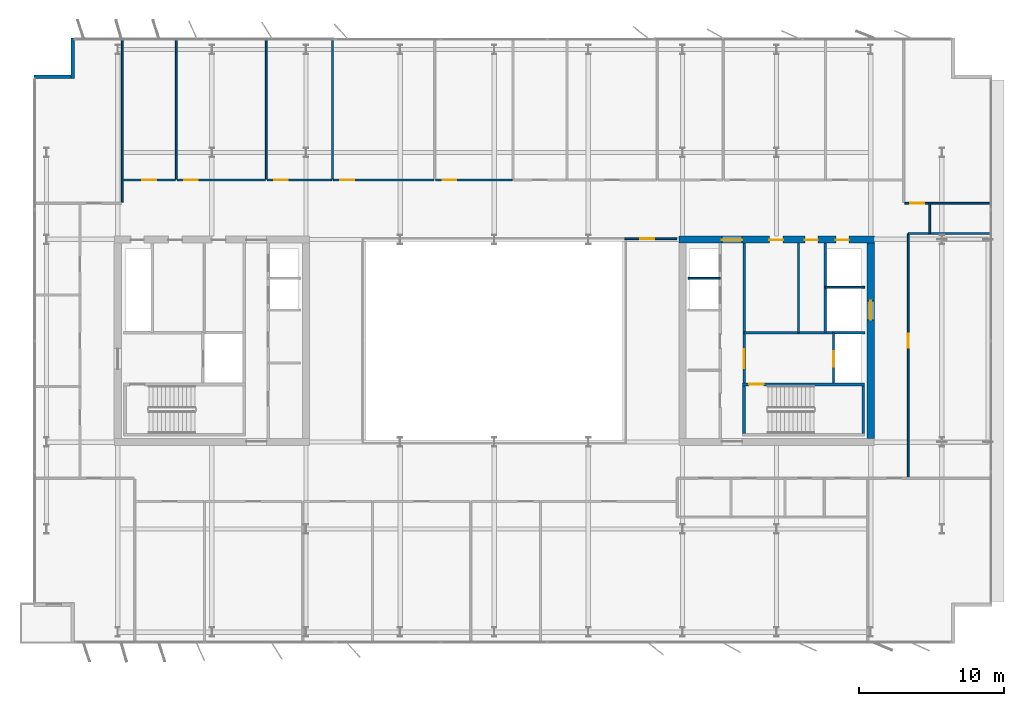
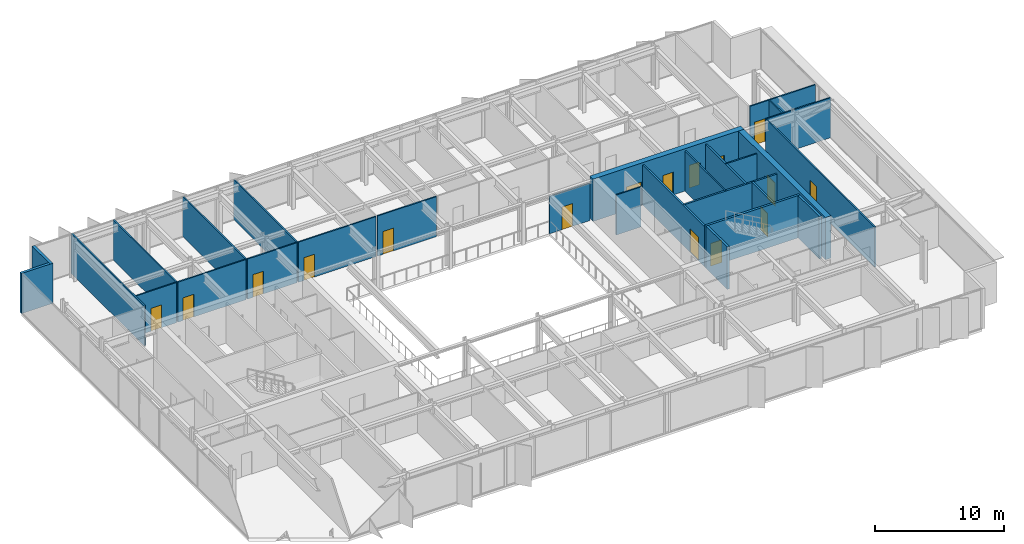
# One storey, part 15 of 20: 28 walls, 16 doors, 16 openings.
"""IFC4 building model written with IfcOpenShell, lengths in metres."""

from ifc_helpers import new_model, si_unit, direction, frame, frame_2d, origin, place, context, subcontext, project, spatial, rectangle, extrude, material, layer, layer_set, type_object, element, fill, save


model = new_model("IFC4")

# Units and contexts
model_context = context("Model", 3, precision=1e-05, world=origin(), true_north=direction((0.0, 1.0)))
body_context = subcontext(model_context, "Body", "Model", "MODEL_VIEW")
ifc_project = project(units=[si_unit("LENGTHUNIT", "METRE"), si_unit("AREAUNIT", "SQUARE_METRE"), si_unit("VOLUMEUNIT", "CUBIC_METRE"), si_unit("PLANEANGLEUNIT", "RADIAN"), si_unit("MASSUNIT", "GRAM", prefix="KILO")], contexts=[model_context])

# Site, building, storey
site_placement = place(None, origin())
site = spatial("IfcSite", under=ifc_project, at=site_placement, CompositionType="ELEMENT")
building_placement = place(site_placement, origin())
building = spatial("IfcBuilding", under=site, at=building_placement, Name="Putna Gate Headquarters", CompositionType="ELEMENT")
storey_placement = place(building_placement, frame((0.0, 0.0, 290.39990234375)))
storey = spatial("IfcBuildingStorey", under=building, at=storey_placement, Name="L73", CompositionType="ELEMENT", Elevation=290.39990234375)

# Wall, openings, doors
ifc_material_1 = material(Name="Concrete C50/60", Category="concrete")
ifc_layer_1 = layer(ifc_material_1, 0.5)
ifc_layer_set_1 = layer_set([ifc_layer_1], Name="Concrete C50/60")
wall_type_1 = type_object("IfcWallType", Name="WALL-CORE-500", PredefinedType="SHEAR", material=ifc_layer_set_1)
wall_1_placement = place(storey_placement, frame((51.75, 33.0, 0.0), z_axis=(0.0, 0.0, 1.0), x_axis=(1.0, 0.0, 0.0)))
wall_1 = element("IfcWall", 1, at=wall_1_placement, inside=storey, type_object=wall_type_1, Name="L73 EC Split Core Shear Wall N", PredefinedType="SHEAR", context=body_context, shape_type="SweptSolid", body=[
    extrude(rectangle(XDim=13.5, YDim=0.5, at=frame_2d((6.75, 0.0))), origin(), (0.0, 0.0, 1.0), 4.0),
])
opening_1_placement = place(wall_1_placement, frame((2.969970703125, 0.0, 0.0)))
opening_1 = element("IfcOpeningElement", 2, at=opening_1_placement, cuts=wall_1, Name="Opening FDD-140", PredefinedType="OPENING", context=body_context, shape_type="SweptSolid", body=[
    extrude(rectangle(XDim=1.39990234375, YDim=2.199951171875, at=frame_2d((0.699951171875, 1.10009765625))), frame((0.0, 0.260009765625, 0.0), z_axis=(0.0, -1.0, 0.0), x_axis=(1.0, 0.0, 0.0)), (0.0, 0.0, 1.0), 0.52001953125),
])
opening_2_placement = place(wall_1_placement, frame((10.85009765625, 0.0, 0.0)))
opening_2 = element("IfcOpeningElement", 3, at=opening_2_placement, cuts=wall_1, Name="Opening RD-90", PredefinedType="OPENING", context=body_context, shape_type="SweptSolid", body=[
    extrude(rectangle(XDim=0.89990234375, YDim=2.14990234375, at=frame_2d((0.449951171875, 1.074951171875))), frame((0.0, 0.260009765625, 0.0), z_axis=(0.0, -1.0, 0.0), x_axis=(1.0, 0.0, 0.0)), (0.0, 0.0, 1.0), 0.52001953125),
])
opening_3_placement = place(wall_1_placement, frame((6.25, 0.0, 0.0)))
opening_3 = element("IfcOpeningElement", 4, at=opening_3_placement, cuts=wall_1, Name="Opening IDS-95", PredefinedType="OPENING", context=body_context, shape_type="SweptSolid", body=[
    extrude(rectangle(XDim=0.949951171875, YDim=2.14990234375, at=frame_2d((0.47509765625, 1.074951171875))), frame((0.0, 0.260009765625, 0.0), z_axis=(0.0, -1.0, 0.0), x_axis=(1.0, 0.0, 0.0)), (0.0, 0.0, 1.0), 0.52001953125),
])
opening_4_placement = place(wall_1_placement, frame((8.699951171875, 0.0, 0.0)))
opening_4 = element("IfcOpeningElement", 5, at=opening_4_placement, cuts=wall_1, Name="Opening IDS-90", PredefinedType="OPENING", context=body_context, shape_type="SweptSolid", body=[
    extrude(rectangle(XDim=0.89990234375, YDim=2.14990234375, at=frame_2d((0.449951171875, 1.074951171875))), frame((0.0, 0.260009765625, 0.0), z_axis=(0.0, -1.0, 0.0), x_axis=(1.0, 0.0, 0.0)), (0.0, 0.0, 1.0), 0.52001953125),
])
ifc_material_2 = material(Name="Double steel fire door", Category="steel")
door_type_1 = type_object("IfcDoorType", Name="DOOR-FIRE-DBL-1400", OperationType="DOUBLE_DOOR_SINGLE_SWING", PredefinedType="DOOR", material=ifc_material_2)
door_1_placement = place(opening_1_placement, origin())
door_1 = element("IfcDoor", 6, at=door_1_placement, inside=storey, type_object=door_type_1, Name="L73 East Lift Lobby North Door", OperationType="DOUBLE_DOOR_SINGLE_SWING", OverallHeight=2.199951171875, OverallWidth=1.39990234375, PredefinedType="DOOR", context=body_context, shape_type="SweptSolid", body=[
    extrude(rectangle(XDim=1.39990234375, YDim=2.199951171875, at=frame_2d((0.699951171875, 1.10009765625))), frame((0.0, -0.02490234375, 0.0), z_axis=(0.0, -1.0, 0.0), x_axis=(1.0, 0.0, 0.0)), (0.0, 0.0, 1.0), 0.050048828125),
])
fill(opening_1, door_1)
ifc_material_3 = material(Name="Fire-rated utility door")
door_type_2 = type_object("IfcDoorType", Name="DOOR-INT-900", OperationType="NOTDEFINED", PredefinedType="DOOR", material=ifc_material_3)
door_2_placement = place(opening_4_placement, origin())
door_2 = element("IfcDoor", 7, at=door_2_placement, inside=storey, type_object=door_type_2, Name="L73 Electrical Plant Door", OperationType="SINGLE_SWING_LEFT", OverallHeight=2.14990234375, OverallWidth=0.89990234375, PredefinedType="DOOR", context=body_context, shape_type="SweptSolid", body=[
    extrude(rectangle(XDim=0.89990234375, YDim=2.14990234375, at=frame_2d((0.449951171875, 1.074951171875))), frame((0.0, -0.02490234375, 0.0), z_axis=(0.0, -1.0, 0.0), x_axis=(1.0, 0.0, 0.0)), (0.0, 0.0, 1.0), 0.050048828125),
])
fill(opening_4, door_2)
ifc_material_4 = material(Name="Fire-rated service timber door", Category="wood")
door_type_3 = type_object("IfcDoorType", Name="DOOR-INT-950", OperationType="NOTDEFINED", PredefinedType="DOOR", material=ifc_material_4)
door_3_placement = place(opening_3_placement, origin())
door_3 = element("IfcDoor", 8, at=door_3_placement, inside=storey, type_object=door_type_3, Name="L73 East Store Door", OperationType="SINGLE_SWING_RIGHT", OverallHeight=2.14990234375, OverallWidth=0.949951171875, PredefinedType="DOOR", context=body_context, shape_type="SweptSolid", body=[
    extrude(rectangle(XDim=0.949951171875, YDim=2.14990234375, at=frame_2d((0.47509765625, 1.074951171875))), frame((0.0, -0.02490234375, 0.0), z_axis=(0.0, -1.0, 0.0), x_axis=(1.0, 0.0, 0.0)), (0.0, 0.0, 1.0), 0.050048828125),
])
fill(opening_3, door_3)
ifc_material_5 = material(Name="Steel riser access fire door", Category="steel")
door_type_4 = type_object("IfcDoorType", Name="DOOR-RISER-900", OperationType="NOTDEFINED", PredefinedType="DOOR", material=ifc_material_5)
door_4_placement = place(opening_2_placement, origin())
door_4 = element("IfcDoor", 9, at=door_4_placement, inside=storey, type_object=door_type_4, Name="L73 East Riser Access Door", OperationType="SINGLE_SWING_LEFT", OverallHeight=2.14990234375, OverallWidth=0.89990234375, PredefinedType="DOOR", context=body_context, shape_type="SweptSolid", body=[
    extrude(rectangle(XDim=0.89990234375, YDim=2.14990234375, at=frame_2d((0.449951171875, 1.074951171875))), frame((0.0, -0.02490234375, 0.0), z_axis=(0.0, -1.0, 0.0), x_axis=(1.0, 0.0, 0.0)), (0.0, 0.0, 1.0), 0.050048828125),
])
fill(opening_2, door_4)

# Wall, opening, door
wall_2_placement = place(storey_placement, frame((65.0, 19.25, 0.0), z_axis=(0.0, 0.0, 1.0), x_axis=(0.0, 1.0, 0.0)))
wall_2 = element("IfcWall", 10, at=wall_2_placement, inside=storey, type_object=wall_type_1, Name="L73 EC Split Core Shear Wall E", PredefinedType="SHEAR", context=body_context, shape_type="SweptSolid", body=[
    extrude(rectangle(XDim=13.5, YDim=0.5, at=frame_2d((6.75, 0.0))), origin(), (0.0, 0.0, 1.0), 4.0),
])
opening_5_placement = place(wall_2_placement, frame((8.199951171875, 0.0, 0.0)))
opening_5 = element("IfcOpeningElement", 11, at=opening_5_placement, cuts=wall_2, Name="Opening LD-2", PredefinedType="OPENING", context=body_context, shape_type="SweptSolid", body=[
    extrude(rectangle(XDim=1.300048828125, YDim=2.199951171875, at=frame_2d((0.64990234375, 1.10009765625))), frame((0.0, 0.260009765625, 0.0), z_axis=(0.0, -1.0, 0.0), x_axis=(1.0, 0.0, 0.0)), (0.0, 0.0, 1.0), 0.52001953125),
])
ifc_material_6 = material(Name="Heavy-duty goods lift sliding landing door")
door_type_5 = type_object("IfcDoorType", Name="DOOR-LIFT-1300", OperationType="DOUBLE_DOOR_SLIDING", PredefinedType="DOOR", material=ifc_material_6)
door_5_placement = place(opening_5_placement, origin())
door_5 = element("IfcDoor", 12, at=door_5_placement, inside=storey, type_object=door_type_5, Name="L73 Goods Lift Landing Door LD-15", OperationType="DOUBLE_DOOR_SLIDING", OverallHeight=2.199951171875, OverallWidth=1.300048828125, PredefinedType="DOOR", context=body_context, shape_type="SweptSolid", body=[
    extrude(rectangle(XDim=1.300048828125, YDim=2.199951171875, at=frame_2d((0.64990234375, 1.10009765625))), frame((0.0, 0.02490234375, 0.0), z_axis=(0.0, -1.0, 0.0), x_axis=(1.0, 0.0, 0.0)), (0.0, 0.0, 1.0), 0.050048828125),
])
fill(opening_5, door_5)

# Walls
ifc_material_7 = material(Name="Precast concrete C40/50", Category="concrete")
ifc_layer_2 = layer(ifc_material_7, 0.239990234375)
ifc_layer_set_2 = layer_set([ifc_layer_2], Name="Precast concrete C40/50")
wall_type_2 = type_object("IfcWallType", Name="WALL-EXT-TERR-240", PredefinedType="STANDARD", material=ifc_layer_set_2)
wall_3_placement = place(storey_placement, frame((9.8798828125, 44.10009765625, 0.0), z_axis=(0.0, 0.0, 1.0), x_axis=(0.0, 1.0, 0.0)))
element("IfcWall", 13, at=wall_3_placement, inside=storey, type_object=wall_type_2, Name="L73 Corner Notch Return Wall NW-V", PredefinedType="STANDARD", context=body_context, shape_type="SweptSolid", body=[
    extrude(rectangle(XDim=2.7998046875, YDim=0.239990234375, at=frame_2d((1.39990234375, 0.0))), origin(), (0.0, 0.0, 1.0), 3.7880859375),
])
wall_4_placement = place(storey_placement, frame((7.199951171875, 44.219970703125, 0.0), z_axis=(0.0, 0.0, 1.0), x_axis=(1.0, 0.0, 0.0)))
element("IfcWall", 14, at=wall_4_placement, inside=storey, type_object=wall_type_2, Name="L73 Corner Notch Return Wall NW-H", PredefinedType="STANDARD", context=body_context, shape_type="SweptSolid", body=[
    extrude(rectangle(XDim=2.800048828125, YDim=0.239990234375, at=frame_2d((1.39990234375, 0.0))), origin(), (0.0, 0.0, 1.0), 3.7880859375),
])

# Wall, opening, door
ifc_material_8 = material(Name="Acoustic gypsum board on metal stud")
ifc_layer_3 = layer(ifc_material_8, 0.1201171875)
ifc_layer_set_3 = layer_set([ifc_layer_3], Name="Acoustic gypsum board on metal stud")
wall_type_3 = type_object("IfcWallType", Name="WALL-PART-120", PredefinedType="PARTITIONING", material=ifc_layer_set_3)
wall_5_placement = place(storey_placement, frame((48.0, 33.0400390625, 0.0), z_axis=(0.0, 0.0, 1.0), x_axis=(1.0, 0.0, 0.0)))
wall_5 = element("IfcWall", 15, at=wall_5_placement, inside=storey, type_object=wall_type_3, Name="L73 Interior Wall PART-L73-ATR-E-N", PredefinedType="PARTITIONING", context=body_context, shape_type="SweptSolid", body=[
    extrude(rectangle(XDim=3.60009765625, YDim=0.1201171875, at=frame_2d((1.800048828125, 0.0))), origin(), (0.0, 0.0, 1.0), 3.528076171875),
])
opening_6_placement = place(wall_5_placement, frame((1.10009765625, 0.0, 0.0)))
opening_6 = element("IfcOpeningElement", 16, at=opening_6_placement, cuts=wall_5, Name="Opening ID-95", PredefinedType="OPENING", context=body_context, shape_type="SweptSolid", body=[
    extrude(rectangle(XDim=0.949951171875, YDim=2.14990234375, at=frame_2d((0.47509765625, 1.074951171875))), frame((0.0, 0.070068359375, 0.0), z_axis=(0.0, -1.0, 0.0), x_axis=(1.0, 0.0, 0.0)), (0.0, 0.0, 1.0), 0.14013671875),
])
ifc_material_9 = material(Name="Veneered acoustic timber door", Category="wood")
door_type_6 = type_object("IfcDoorType", Name="DOOR-OFF-950", OperationType="NOTDEFINED", PredefinedType="DOOR", material=ifc_material_9)
door_6_placement = place(opening_6_placement, origin())
door_6 = element("IfcDoor", 17, at=door_6_placement, inside=storey, type_object=door_type_6, Name="L73 East Sky Atrium Lounge Door", OperationType="SINGLE_SWING_LEFT", OverallHeight=2.14990234375, OverallWidth=0.949951171875, PredefinedType="DOOR", context=body_context, shape_type="SweptSolid", body=[
    extrude(rectangle(XDim=0.949951171875, YDim=2.14990234375, at=frame_2d((0.47509765625, 1.074951171875))), frame((0.0, 0.02490234375, 0.0), z_axis=(0.0, -1.0, 0.0), x_axis=(1.0, 0.0, 0.0)), (0.0, 0.0, 1.0), 0.050048828125),
])
fill(opening_6, door_6)

# Walls
wall_6_placement = place(storey_placement, frame((13.304443359375, 35.56005859375, 0.0), z_axis=(0.0, 0.0, 1.0), x_axis=(0.0, 1.0, 0.0)))
element("IfcWall", 18, at=wall_6_placement, inside=storey, type_object=wall_type_3, Name="L73 Interior Wall PART-L73-NB-DIV-01", PredefinedType="PARTITIONING", context=body_context, shape_type="SweptSolid", body=[
    extrude(rectangle(XDim=11.31982421875, YDim=0.1201171875, at=frame_2d((5.659912109375, 0.0))), origin(), (0.0, 0.0, 1.0), 3.7880859375),
])
for number, where, z_axis, x_axis, name in (
    (19, (17.036865234375, 37.159912109375, 0.0), (0.0, 0.0, 1.0), (0.0, 1.0, 0.0), "L73 Interior Wall PART-L73-NB-DIV-02"),
    (20, (23.26416015625, 37.159912109375, 0.0), (0.0, 0.0, 1.0), (0.0, 1.0, 0.0), "L73 Interior Wall PART-L73-NB-DIV-03"),
    (21, (27.83251953125, 37.159912109375, 0.0), (0.0, 0.0, 1.0), (0.0, 1.0, 0.0), "L73 Interior Wall PART-L73-NB-DIV-04"),
):
    element("IfcWall", number, at=place(storey_placement, frame(where, z_axis=z_axis, x_axis=x_axis)), inside=storey, type_object=wall_type_3, Name=name, PredefinedType="PARTITIONING", context=body_context, shape_type="SweptSolid", body=[
        extrude(rectangle(XDim=9.719970703125, YDim=0.1201171875, at=frame_2d((4.85986328125, 0.0))), origin(), (0.0, 0.0, 1.0), 3.7880859375),
    ])
ifc_material_10 = material(Name="Fire-rated shaftwall gypsum board on metal stud")
ifc_layer_4 = layer(ifc_material_10, 0.1201171875)
ifc_layer_set_4 = layer_set([ifc_layer_4], Name="Fire-rated shaftwall gypsum board on metal stud")
wall_type_4 = type_object("IfcWallType", Name="WALL-PART-120-EI120", PredefinedType="PARTITIONING", material=ifc_layer_set_4)
wall_7_placement = place(storey_placement, frame((52.39990234375, 30.31005859375, 0.0), z_axis=(0.0, 0.0, 1.0), x_axis=(1.0, 0.0, 0.0)))
element("IfcWall", 22, at=wall_7_placement, inside=storey, type_object=wall_type_4, Name="L73 Interior Wall CWINT-L73-EC-LF11-DIV", PredefinedType="PARTITIONING", context=body_context, shape_type="SweptSolid", body=[
    extrude(rectangle(XDim=2.2001953125, YDim=0.1201171875, at=frame_2d((1.10009765625, 0.0))), origin(), (0.0, 0.0, 1.0), 3.7880859375),
])
wall_8_placement = place(storey_placement, frame((61.8701171875, 29.699951171875, 0.0), z_axis=(0.0, 0.0, 1.0), x_axis=(1.0, 0.0, 0.0)))
element("IfcWall", 23, at=wall_8_placement, inside=storey, type_object=wall_type_4, Name="L73 Interior Wall CWINT-L73-EC-LF15-N", PredefinedType="PARTITIONING", context=body_context, shape_type="SweptSolid", body=[
    extrude(rectangle(XDim=2.72998046875, YDim=0.1201171875, at=frame_2d((1.364990234375, 0.0))), origin(), (0.0, 0.0, 1.0), 3.7880859375),
])
ifc_material_11 = material(Name="Fire-rated gypsum board on metal stud")
ifc_layer_5 = layer(ifc_material_11, 0.1201171875)
ifc_layer_set_5 = layer_set([ifc_layer_5], Name="Fire-rated gypsum board on metal stud")
wall_type_5 = type_object("IfcWallType", Name="WALL-PART-120-RATED", PredefinedType="PARTITIONING", material=ifc_layer_set_5)
wall_9_placement = place(storey_placement, frame((60.02001953125, 26.56005859375, 0.0), z_axis=(0.0, 0.0, 1.0), x_axis=(0.0, 1.0, 0.0)))
element("IfcWall", 24, at=wall_9_placement, inside=storey, type_object=wall_type_5, Name="L73 Interior Wall CWINT-L73-EC-K0-DIV", PredefinedType="PARTITIONING", context=body_context, shape_type="SweptSolid", body=[
    extrude(rectangle(XDim=6.18994140625, YDim=0.1201171875, at=frame_2d((3.094970703125, 0.0))), origin(), (0.0, 0.0, 1.0), 3.7880859375),
])
wall_10_placement = place(storey_placement, frame((69.082763671875, 33.39990234375, 0.0), z_axis=(0.0, 0.0, 1.0), x_axis=(0.0, 1.0, 0.0)))
element("IfcWall", 25, at=wall_10_placement, inside=storey, type_object=wall_type_5, Name="L73 Interior Wall PART-L73-CORRN-CAPE", PredefinedType="PARTITIONING", context=body_context, shape_type="SweptSolid", body=[
    extrude(rectangle(XDim=2.10009765625, YDim=0.1201171875, at=frame_2d((1.050048828125, 0.0))), origin(), (0.0, 0.0, 1.0), 3.7880859375),
])

# Wall, opening, door
wall_11_placement = place(storey_placement, frame((13.364501953125, 37.10009765625, 0.0), z_axis=(0.0, 0.0, 1.0), x_axis=(1.0, 0.0, 0.0)))
wall_11 = element("IfcWall", 26, at=wall_11_placement, inside=storey, type_object=wall_type_5, Name="L73 Interior Wall PART-L73-NB-CW-02", PredefinedType="PARTITIONING", context=body_context, shape_type="SweptSolid", body=[
    extrude(rectangle(XDim=3.6123046875, YDim=0.1201171875, at=frame_2d((1.80615234375, 0.0))), origin(), (0.0, 0.0, 1.0), 3.7880859375),
])
opening_7_placement = place(wall_11_placement, frame((1.331298828125, 0.0, 0.0)))
opening_7 = element("IfcOpeningElement", 27, at=opening_7_placement, cuts=wall_11, Name="Opening FD-95", PredefinedType="OPENING", context=body_context, shape_type="SweptSolid", body=[
    extrude(rectangle(XDim=0.949951171875, YDim=2.14990234375, at=frame_2d((0.47509765625, 1.074951171875))), frame((0.0, 0.070068359375, 0.0), z_axis=(0.0, -1.0, 0.0), x_axis=(1.0, 0.0, 0.0)), (0.0, 0.0, 1.0), 0.14013671875),
])
ifc_material_12 = material(Name="Acoustic timber fire door", Category="wood")
door_type_7 = type_object("IfcDoorType", Name="DOOR-FIRE-950", OperationType="NOTDEFINED", PredefinedType="DOOR", material=ifc_material_12)
door_7_placement = place(opening_7_placement, origin())
door_7 = element("IfcDoor", 28, at=door_7_placement, inside=storey, type_object=door_type_7, Name="L73 Collaborative Breakout Lounge 3 Door", OperationType="SINGLE_SWING_LEFT", OverallHeight=2.14990234375, OverallWidth=0.949951171875, PredefinedType="DOOR", context=body_context, shape_type="SweptSolid", body=[
    extrude(rectangle(XDim=0.949951171875, YDim=2.14990234375, at=frame_2d((0.47509765625, 1.074951171875))), frame((0.0, 0.02490234375, 0.0), z_axis=(0.0, -1.0, 0.0), x_axis=(1.0, 0.0, 0.0)), (0.0, 0.0, 1.0), 0.050048828125),
])
fill(opening_7, door_7)

wall_12_placement = place(storey_placement, frame((17.096923828125, 37.10009765625, 0.0), z_axis=(0.0, 0.0, 1.0), x_axis=(1.0, 0.0, 0.0)))
wall_12 = element("IfcWall", 29, at=wall_12_placement, inside=storey, type_object=wall_type_5, Name="L73 Interior Wall PART-L73-NB-CW-03", PredefinedType="PARTITIONING", context=body_context, shape_type="SweptSolid", body=[
    extrude(rectangle(XDim=6.107177734375, YDim=0.1201171875, at=frame_2d((3.0537109375, 0.0))), origin(), (0.0, 0.0, 1.0), 3.7880859375),
])
opening_8_placement = place(wall_12_placement, frame((0.47998046875, 0.0, 0.0)))
opening_8 = element("IfcOpeningElement", 30, at=opening_8_placement, cuts=wall_12, Name="Opening FD-95", PredefinedType="OPENING", context=body_context, shape_type="SweptSolid", body=[
    extrude(rectangle(XDim=0.949951171875, YDim=2.14990234375, at=frame_2d((0.47509765625, 1.074951171875))), frame((0.0, 0.070068359375, 0.0), z_axis=(0.0, -1.0, 0.0), x_axis=(1.0, 0.0, 0.0)), (0.0, 0.0, 1.0), 0.14013671875),
])
door_8_placement = place(opening_8_placement, origin())
door_8 = element("IfcDoor", 31, at=door_8_placement, inside=storey, type_object=door_type_7, Name="L73 Quiet Wellness Focus Studio 1 Door", OperationType="SINGLE_SWING_RIGHT", OverallHeight=2.14990234375, OverallWidth=0.949951171875, PredefinedType="DOOR", context=body_context, shape_type="SweptSolid", body=[
    extrude(rectangle(XDim=0.949951171875, YDim=2.14990234375, at=frame_2d((0.47509765625, 1.074951171875))), frame((0.0, 0.02490234375, 0.0), z_axis=(0.0, -1.0, 0.0), x_axis=(1.0, 0.0, 0.0)), (0.0, 0.0, 1.0), 0.050048828125),
])
fill(opening_8, door_8)

wall_13_placement = place(storey_placement, frame((23.32421875, 37.10009765625, 0.0), z_axis=(0.0, 0.0, 1.0), x_axis=(1.0, 0.0, 0.0)))
wall_13 = element("IfcWall", 32, at=wall_13_placement, inside=storey, type_object=wall_type_5, Name="L73 Interior Wall PART-L73-NB-CW-04", PredefinedType="PARTITIONING", context=body_context, shape_type="SweptSolid", body=[
    extrude(rectangle(XDim=4.4482421875, YDim=0.1201171875, at=frame_2d((2.22412109375, 0.0))), origin(), (0.0, 0.0, 1.0), 3.7880859375),
])
opening_9_placement = place(wall_13_placement, frame((0.47998046875, 0.0, 0.0)))
opening_9 = element("IfcOpeningElement", 33, at=opening_9_placement, cuts=wall_13, Name="Opening FD-95", PredefinedType="OPENING", context=body_context, shape_type="SweptSolid", body=[
    extrude(rectangle(XDim=0.949951171875, YDim=2.14990234375, at=frame_2d((0.47509765625, 1.074951171875))), frame((0.0, 0.070068359375, 0.0), z_axis=(0.0, -1.0, 0.0), x_axis=(1.0, 0.0, 0.0)), (0.0, 0.0, 1.0), 0.14013671875),
])
door_9_placement = place(opening_9_placement, origin())
door_9 = element("IfcDoor", 34, at=door_9_placement, inside=storey, type_object=door_type_7, Name="L73 Quiet Wellness Focus Studio 2 Door", OperationType="SINGLE_SWING_LEFT", OverallHeight=2.14990234375, OverallWidth=0.949951171875, PredefinedType="DOOR", context=body_context, shape_type="SweptSolid", body=[
    extrude(rectangle(XDim=0.949951171875, YDim=2.14990234375, at=frame_2d((0.47509765625, 1.074951171875))), frame((0.0, 0.02490234375, 0.0), z_axis=(0.0, -1.0, 0.0), x_axis=(1.0, 0.0, 0.0)), (0.0, 0.0, 1.0), 0.050048828125),
])
fill(opening_9, door_9)

wall_14_placement = place(storey_placement, frame((27.892578125, 37.10009765625, 0.0), z_axis=(0.0, 0.0, 1.0), x_axis=(1.0, 0.0, 0.0)))
wall_14 = element("IfcWall", 35, at=wall_14_placement, inside=storey, type_object=wall_type_5, Name="L73 Interior Wall PART-L73-NB-CW-05", PredefinedType="PARTITIONING", context=body_context, shape_type="SweptSolid", body=[
    extrude(rectangle(XDim=6.943115234375, YDim=0.1201171875, at=frame_2d((3.4716796875, 0.0))), origin(), (0.0, 0.0, 1.0), 3.7880859375),
])
opening_10_placement = place(wall_14_placement, frame((0.47998046875, 0.0, 0.0)))
opening_10 = element("IfcOpeningElement", 36, at=opening_10_placement, cuts=wall_14, Name="Opening FD-95", PredefinedType="OPENING", context=body_context, shape_type="SweptSolid", body=[
    extrude(rectangle(XDim=0.949951171875, YDim=2.14990234375, at=frame_2d((0.47509765625, 1.074951171875))), frame((0.0, 0.070068359375, 0.0), z_axis=(0.0, -1.0, 0.0), x_axis=(1.0, 0.0, 0.0)), (0.0, 0.0, 1.0), 0.14013671875),
])
door_10_placement = place(opening_10_placement, origin())
door_10 = element("IfcDoor", 37, at=door_10_placement, inside=storey, type_object=door_type_7, Name="L73 Cellular Office 1 Door", OperationType="SINGLE_SWING_RIGHT", OverallHeight=2.14990234375, OverallWidth=0.949951171875, PredefinedType="DOOR", context=body_context, shape_type="SweptSolid", body=[
    extrude(rectangle(XDim=0.949951171875, YDim=2.14990234375, at=frame_2d((0.47509765625, 1.074951171875))), frame((0.0, 0.02490234375, 0.0), z_axis=(0.0, -1.0, 0.0), x_axis=(1.0, 0.0, 0.0)), (0.0, 0.0, 1.0), 0.050048828125),
])
fill(opening_10, door_10)

wall_15_placement = place(storey_placement, frame((34.955810546875, 37.10009765625, 0.0), z_axis=(0.0, 0.0, 1.0), x_axis=(1.0, 0.0, 0.0)))
wall_15 = element("IfcWall", 38, at=wall_15_placement, inside=storey, type_object=wall_type_5, Name="L73 Interior Wall PART-L73-NB-CW-06", PredefinedType="PARTITIONING", context=body_context, shape_type="SweptSolid", body=[
    extrude(rectangle(XDim=5.27783203125, YDim=0.1201171875, at=frame_2d((2.638916015625, 0.0))), origin(), (0.0, 0.0, 1.0), 3.7880859375),
])
opening_11_placement = place(wall_15_placement, frame((0.47998046875, 0.0, 0.0)))
opening_11 = element("IfcOpeningElement", 39, at=opening_11_placement, cuts=wall_15, Name="Opening FD-95", PredefinedType="OPENING", context=body_context, shape_type="SweptSolid", body=[
    extrude(rectangle(XDim=0.949951171875, YDim=2.14990234375, at=frame_2d((0.47509765625, 1.074951171875))), frame((0.0, 0.070068359375, 0.0), z_axis=(0.0, -1.0, 0.0), x_axis=(1.0, 0.0, 0.0)), (0.0, 0.0, 1.0), 0.14013671875),
])
door_11_placement = place(opening_11_placement, origin())
door_11 = element("IfcDoor", 40, at=door_11_placement, inside=storey, type_object=door_type_7, Name="L73 Cellular Office 2 Door", OperationType="SINGLE_SWING_LEFT", OverallHeight=2.14990234375, OverallWidth=0.949951171875, PredefinedType="DOOR", context=body_context, shape_type="SweptSolid", body=[
    extrude(rectangle(XDim=0.949951171875, YDim=2.14990234375, at=frame_2d((0.47509765625, 1.074951171875))), frame((0.0, 0.02490234375, 0.0), z_axis=(0.0, -1.0, 0.0), x_axis=(1.0, 0.0, 0.0)), (0.0, 0.0, 1.0), 0.050048828125),
])
fill(opening_11, door_11)

wall_16_placement = place(storey_placement, frame((67.3427734375, 35.5, 0.0), z_axis=(0.0, 0.0, 1.0), x_axis=(1.0, 0.0, 0.0)))
wall_16 = element("IfcWall", 41, at=wall_16_placement, inside=storey, type_object=wall_type_5, Name="L73 Interior Wall PART-L73-NB-CW-12", PredefinedType="PARTITIONING", context=body_context, shape_type="SweptSolid", body=[
    extrude(rectangle(XDim=5.864501953125, YDim=0.1201171875, at=frame_2d((2.93212890625, 0.0))), origin(), (0.0, 0.0, 1.0), 3.7880859375),
])
opening_12_placement = place(wall_16_placement, frame((0.39501953125, 0.0, 0.0)))
opening_12 = element("IfcOpeningElement", 42, at=opening_12_placement, cuts=wall_16, Name="Opening FD-95", PredefinedType="OPENING", context=body_context, shape_type="SweptSolid", body=[
    extrude(rectangle(XDim=0.949951171875, YDim=2.14990234375, at=frame_2d((0.47509765625, 1.074951171875))), frame((0.0, 0.070068359375, 0.0), z_axis=(0.0, -1.0, 0.0), x_axis=(1.0, 0.0, 0.0)), (0.0, 0.0, 1.0), 0.14013671875),
])
door_12_placement = place(opening_12_placement, origin())
door_12 = element("IfcDoor", 43, at=door_12_placement, inside=storey, type_object=door_type_7, Name="L73 Conference Meeting Room 7 Door", OperationType="SINGLE_SWING_LEFT", OverallHeight=2.14990234375, OverallWidth=0.949951171875, PredefinedType="DOOR", context=body_context, shape_type="SweptSolid", body=[
    extrude(rectangle(XDim=0.949951171875, YDim=2.14990234375, at=frame_2d((0.47509765625, 1.074951171875))), frame((0.0, 0.02490234375, 0.0), z_axis=(0.0, -1.0, 0.0), x_axis=(1.0, 0.0, 0.0)), (0.0, 0.0, 1.0), 0.050048828125),
])
fill(opening_12, door_12)

# Wall
wall_17_placement = place(storey_placement, frame((67.60009765625, 33.39990234375, 0.0), z_axis=(0.0, 0.0, 1.0), x_axis=(1.0, 0.0, 0.0)))
element("IfcWall", 44, at=wall_17_placement, inside=storey, type_object=wall_type_5, Name="L73 Interior Wall PART-L73-EW-N-BOUND", PredefinedType="PARTITIONING", context=body_context, shape_type="SweptSolid", body=[
    extrude(rectangle(XDim=5.76708984375, YDim=0.1201171875, at=frame_2d((2.883544921875, 0.0))), origin(), (0.0, 0.0, 1.0), 3.7880859375),
])

# Wall, opening, door
wall_18_placement = place(storey_placement, frame((67.60009765625, 16.5, 0.0), z_axis=(0.0, 0.0, 1.0), x_axis=(0.0, 1.0, 0.0)))
wall_18 = element("IfcWall", 45, at=wall_18_placement, inside=storey, type_object=wall_type_5, Name="L73 Interior Wall PART-L73-EW-CW-1", PredefinedType="PARTITIONING", context=body_context, shape_type="SweptSolid", body=[
    extrude(rectangle(XDim=16.89990234375, YDim=0.1201171875, at=frame_2d((8.449951171875, 0.0))), origin(), (0.0, 0.0, 1.0), 3.7880859375),
])
opening_13_placement = place(wall_18_placement, frame((9.02490234375, 0.0, 0.0)))
opening_13 = element("IfcOpeningElement", 46, at=opening_13_placement, cuts=wall_18, Name="Opening FD-95", PredefinedType="OPENING", context=body_context, shape_type="SweptSolid", body=[
    extrude(rectangle(XDim=0.949951171875, YDim=2.14990234375, at=frame_2d((0.47509765625, 1.074951171875))), frame((0.0, 0.070068359375, 0.0), z_axis=(0.0, -1.0, 0.0), x_axis=(1.0, 0.0, 0.0)), (0.0, 0.0, 1.0), 0.14013671875),
])
door_13_placement = place(opening_13_placement, origin())
door_13 = element("IfcDoor", 47, at=door_13_placement, inside=storey, type_object=door_type_7, Name="L73 East Advisory Office 1 Door", OperationType="SINGLE_SWING_LEFT", OverallHeight=2.14990234375, OverallWidth=0.949951171875, PredefinedType="DOOR", context=body_context, shape_type="SweptSolid", body=[
    extrude(rectangle(XDim=0.949951171875, YDim=2.14990234375, at=frame_2d((0.47509765625, 1.074951171875))), frame((0.0, 0.02490234375, 0.0), z_axis=(0.0, -1.0, 0.0), x_axis=(1.0, 0.0, 0.0)), (0.0, 0.0, 1.0), 0.050048828125),
])
fill(opening_13, door_13)

ifc_material_13 = material(Name="Concrete C40/50", Category="concrete")
ifc_layer_6 = layer(ifc_material_13, 0.159912109375)
ifc_layer_set_6 = layer_set([ifc_layer_6], Name="Concrete C40/50")
wall_type_6 = type_object("IfcWallType", Name="WALL-SHAFT-160", PredefinedType="STANDARD", material=ifc_layer_set_6)
wall_19_placement = place(storey_placement, frame((56.260009765625, 23.090087890625, 0.0), z_axis=(0.0, 0.0, 1.0), x_axis=(0.0, 1.0, 0.0)))
wall_19 = element("IfcWall", 48, at=wall_19_placement, inside=storey, type_object=wall_type_6, Name="L73 Interior Wall CWINT-L73-EC-LOB-E", PredefinedType="STANDARD", context=body_context, shape_type="SweptSolid", body=[
    extrude(rectangle(XDim=9.659912109375, YDim=0.159912109375, at=frame_2d((4.830078125, 0.0))), origin(), (0.0, 0.0, 1.0), 3.7880859375),
])
opening_14_placement = place(wall_19_placement, frame((1.010009765625, 0.0, 0.0)))
opening_14 = element("IfcOpeningElement", 49, at=opening_14_placement, cuts=wall_19, Name="Opening FDD-130", PredefinedType="OPENING", context=body_context, shape_type="SweptSolid", body=[
    extrude(rectangle(XDim=1.300048828125, YDim=2.199951171875, at=frame_2d((0.64990234375, 1.10009765625))), frame((0.0, 0.08984375, 0.0), z_axis=(0.0, -1.0, 0.0), x_axis=(1.0, 0.0, 0.0)), (0.0, 0.0, 1.0), 0.179931640625),
])
ifc_material_14 = material(Name="Double steel lobby fire door", Category="steel")
door_type_8 = type_object("IfcDoorType", Name="DOOR-FIRE-DBL-1300", OperationType="DOUBLE_DOOR_SINGLE_SWING", PredefinedType="DOOR", material=ifc_material_14)
door_14_placement = place(opening_14_placement, origin())
door_14 = element("IfcDoor", 50, at=door_14_placement, inside=storey, type_object=door_type_8, Name="L73 East Firefighting Lobby Door", OperationType="DOUBLE_DOOR_SINGLE_SWING", OverallHeight=2.199951171875, OverallWidth=1.300048828125, PredefinedType="DOOR", context=body_context, shape_type="SweptSolid", body=[
    extrude(rectangle(XDim=1.300048828125, YDim=2.199951171875, at=frame_2d((0.64990234375, 1.10009765625))), frame((0.0, 0.02490234375, 0.0), z_axis=(0.0, -1.0, 0.0), x_axis=(1.0, 0.0, 0.0)), (0.0, 0.0, 1.0), 0.050048828125),
])
fill(opening_14, door_14)

wall_20_placement = place(storey_placement, frame((62.429931640625, 23.090087890625, 0.0), z_axis=(0.0, 0.0, 1.0), x_axis=(0.0, 1.0, 0.0)))
wall_20 = element("IfcWall", 51, at=wall_20_placement, inside=storey, type_object=wall_type_6, Name="L73 Interior Wall CWINT-L73-EC-LF14-W", PredefinedType="STANDARD", context=body_context, shape_type="SweptSolid", body=[
    extrude(rectangle(XDim=3.469970703125, YDim=0.159912109375, at=frame_2d((1.73486328125, 0.0))), origin(), (0.0, 0.0, 1.0), 3.7880859375),
])
opening_15_placement = place(wall_20_placement, frame((1.10009765625, 0.0, 0.0)))
opening_15 = element("IfcOpeningElement", 52, at=opening_15_placement, cuts=wall_20, Name="Opening LD-1", PredefinedType="OPENING", context=body_context, shape_type="SweptSolid", body=[
    extrude(rectangle(XDim=1.10009765625, YDim=2.199951171875, at=frame_2d((0.550048828125, 1.10009765625))), frame((0.0, 0.08984375, 0.0), z_axis=(0.0, -1.0, 0.0), x_axis=(1.0, 0.0, 0.0)), (0.0, 0.0, 1.0), 0.179931640625),
])
ifc_material_15 = material(Name="Brushed bronze stainless lift landing door")
door_type_9 = type_object("IfcDoorType", Name="DOOR-LIFT-1100", OperationType="DOUBLE_DOOR_SLIDING", PredefinedType="DOOR", material=ifc_material_15)
door_15_placement = place(opening_15_placement, origin())
door_15 = element("IfcDoor", 53, at=door_15_placement, inside=storey, type_object=door_type_9, Name="L73 Lift Landing Door LD-14", OperationType="DOUBLE_DOOR_SLIDING", OverallHeight=2.199951171875, OverallWidth=1.10009765625, PredefinedType="DOOR", context=body_context, shape_type="SweptSolid", body=[
    extrude(rectangle(XDim=1.10009765625, YDim=2.199951171875, at=frame_2d((0.550048828125, 1.10009765625))), frame((0.0, 0.02490234375, 0.0), z_axis=(0.0, -1.0, 0.0), x_axis=(1.0, 0.0, 0.0)), (0.0, 0.0, 1.0), 0.050048828125),
])
fill(opening_15, door_15)

# Walls
wall_21_placement = place(storey_placement, frame((56.260009765625, 26.56005859375, 0.0), z_axis=(0.0, 0.0, 1.0), x_axis=(1.0, 0.0, 0.0)))
element("IfcWall", 54, at=wall_21_placement, inside=storey, type_object=wall_type_6, Name="L73 Interior Wall CWINT-L73-EC-FFL-N", PredefinedType="STANDARD", context=body_context, shape_type="SweptSolid", body=[
    extrude(rectangle(XDim=8.340087890625, YDim=0.159912109375, at=frame_2d((4.169921875, 0.0))), origin(), (0.0, 0.0, 1.0), 3.7880859375),
])
wall_22_placement = place(storey_placement, frame((61.8701171875, 26.56005859375, 0.0), z_axis=(0.0, 0.0, 1.0), x_axis=(0.0, 1.0, 0.0)))
element("IfcWall", 55, at=wall_22_placement, inside=storey, type_object=wall_type_6, Name="L73 Interior Wall CWINT-L73-EC-LF15-W", PredefinedType="STANDARD", context=body_context, shape_type="SweptSolid", body=[
    extrude(rectangle(XDim=6.18994140625, YDim=0.159912109375, at=frame_2d((3.094970703125, 0.0))), origin(), (0.0, 0.0, 1.0), 3.7880859375),
])

# Wall, opening, door
ifc_layer_7 = layer(ifc_material_13, 0.199951171875)
ifc_layer_set_7 = layer_set([ifc_layer_7], Name="Concrete C40/50")
wall_type_7 = type_object("IfcWallType", Name="WALL-SHAFT-RC200", PredefinedType="SHEAR", material=ifc_layer_set_7)
wall_23_placement = place(storey_placement, frame((56.159912109375, 22.989990234375, 0.0), z_axis=(0.0, 0.0, 1.0), x_axis=(1.0, 0.0, 0.0)))
wall_23 = element("IfcWall", 56, at=wall_23_placement, inside=storey, type_object=wall_type_7, Name="L73 Stair ST2 Structural Shaft Wall N", PredefinedType="SHEAR", context=body_context, shape_type="SweptSolid", body=[
    extrude(rectangle(XDim=8.43017578125, YDim=0.199951171875, at=frame_2d((4.215087890625, 0.0))), origin(), (0.0, 0.0, 1.0), 4.0),
])
opening_16_placement = place(wall_23_placement, frame((0.449951171875, 0.0, 0.0)))
opening_16 = element("IfcOpeningElement", 57, at=opening_16_placement, cuts=wall_23, Name="Opening FD-100", PredefinedType="OPENING", context=body_context, shape_type="SweptSolid", body=[
    extrude(rectangle(XDim=1.0, YDim=2.14990234375, at=frame_2d((0.5, 1.074951171875))), frame((0.0, 0.10986328125, 0.0), z_axis=(0.0, -1.0, 0.0), x_axis=(1.0, 0.0, 0.0)), (0.0, 0.0, 1.0), 0.219970703125),
])
ifc_material_16 = material(Name="Powder-coated steel fire door", Category="steel")
door_type_10 = type_object("IfcDoorType", Name="DOOR-FIRE-1000", OperationType="NOTDEFINED", PredefinedType="DOOR", material=ifc_material_16)
door_16_placement = place(opening_16_placement, origin())
door_16 = element("IfcDoor", 58, at=door_16_placement, inside=storey, type_object=door_type_10, Name="L73 Stair ST2 Fire Door", OperationType="SINGLE_SWING_RIGHT", OverallHeight=2.14990234375, OverallWidth=1.0, PredefinedType="DOOR", context=body_context, shape_type="SweptSolid", body=[
    extrude(rectangle(XDim=1.0, YDim=2.14990234375, at=frame_2d((0.5, 1.074951171875))), frame((0.0, 0.02490234375, 0.0), z_axis=(0.0, -1.0, 0.0), x_axis=(1.0, 0.0, 0.0)), (0.0, 0.0, 1.0), 0.050048828125),
])
fill(opening_16, door_16)

# Walls
for number, where, z_axis, x_axis, name in (
    (59, (56.260009765625, 19.610107421875, 0.0), (0.0, 0.0, 1.0), (0.0, 1.0, 0.0), "L73 Stair ST2 Structural Shaft Wall W"),
    (60, (64.489990234375, 19.610107421875, 0.0), (0.0, 0.0, 1.0), (0.0, 1.0, 0.0), "L73 Stair ST2 Structural Shaft Wall E"),
):
    element("IfcWall", number, at=place(storey_placement, frame(where, z_axis=z_axis, x_axis=x_axis)), inside=storey, type_object=wall_type_7, Name=name, PredefinedType="SHEAR", context=body_context, shape_type="SweptSolid", body=[
        extrude(rectangle(XDim=3.27978515625, YDim=0.199951171875, at=frame_2d((1.639892578125, 0.0))), origin(), (0.0, 0.0, 1.0), 4.0),
    ])

save(model, "model.ifc")
